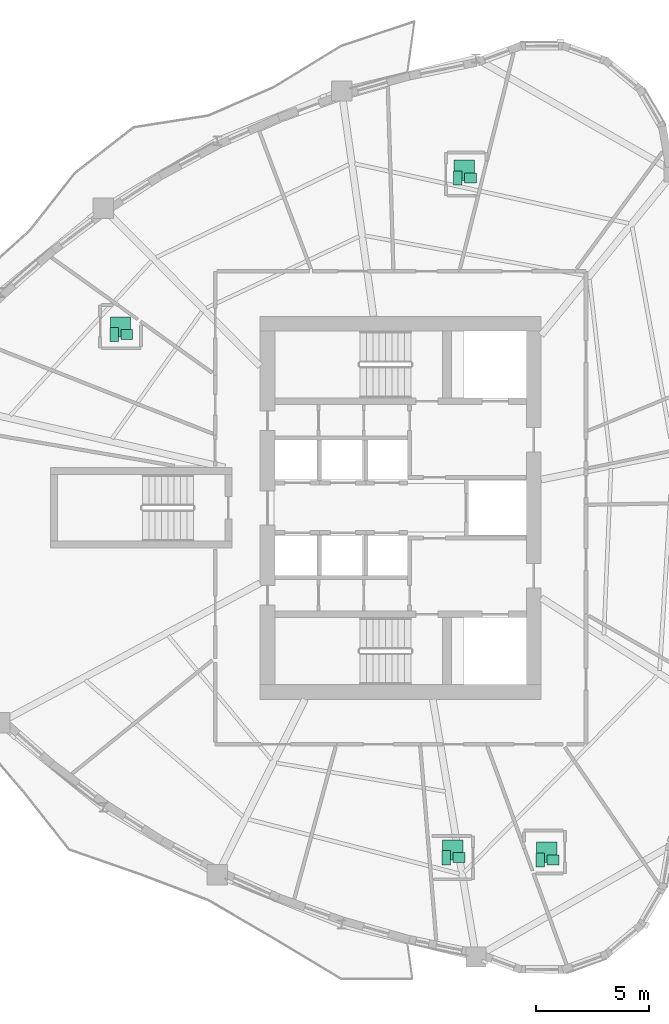
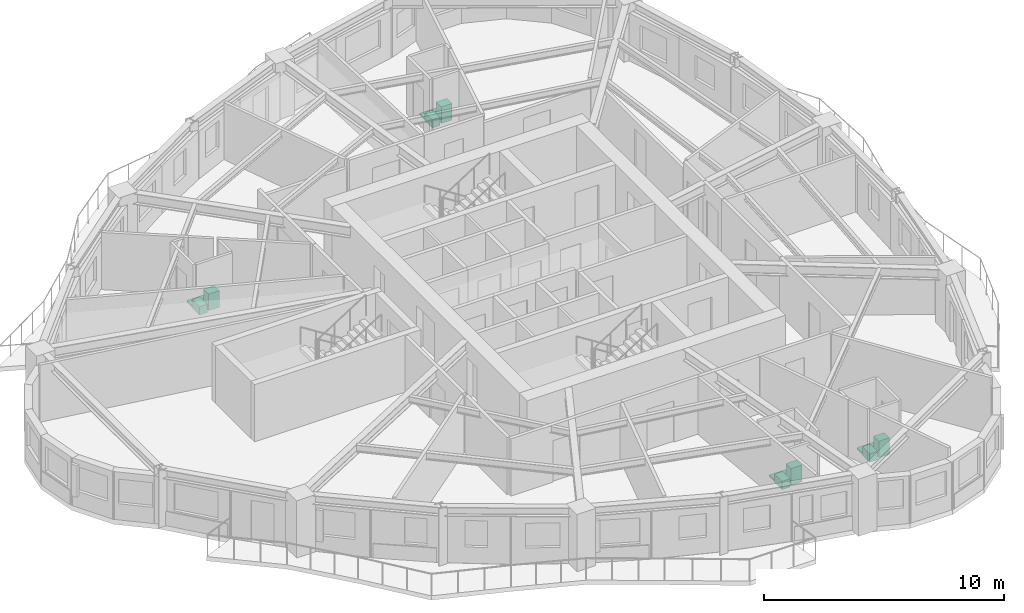
# One storey, part 12 of 12: 12 sanitary terminals.
"""IFC4 building model written with IfcOpenShell, lengths in metres."""

from ifc_helpers import new_model, si_unit, direction, frame, origin, origin_2d, place, context, subcontext, project, spatial, rectangle, extrude, source, transform, mapped, material, type_object, element, save


model = new_model("IFC4")

# Units and contexts
model_context = context("Model", 3, precision=1e-05, world=origin(), true_north=direction((0.0, 1.0)))
body_context = subcontext(model_context, "Body", "Model", "MODEL_VIEW")
ifc_project = project(units=[si_unit("LENGTHUNIT", "METRE"), si_unit("AREAUNIT", "SQUARE_METRE"), si_unit("VOLUMEUNIT", "CUBIC_METRE"), si_unit("PLANEANGLEUNIT", "RADIAN"), si_unit("MASSUNIT", "GRAM", prefix="KILO")], contexts=[model_context])

# Site, building, storey
site_placement = place(None, origin())
site = spatial("IfcSite", under=ifc_project, at=site_placement, CompositionType="ELEMENT")
building_placement = place(site_placement, origin())
building = spatial("IfcBuilding", under=site, at=building_placement, Name="Qafzar Sky-Pleat Residences", CompositionType="ELEMENT")
storey_placement = place(building_placement, frame((0.0, 0.0, 124.800048828125)))
storey = spatial("IfcBuildingStorey", under=building, at=storey_placement, Name="L37", CompositionType="ELEMENT", Elevation=124.800048828125)

# Sanitary terminals
ifc_material_1 = material(Name="Vitreous china sanitaryware")
sanitary_terminal_type_1 = type_object("IfcSanitaryTerminalType", Name="SAN-WC-PAN", PredefinedType="TOILETPAN", material=ifc_material_1)
shared_shape_1 = source(origin(), body_context, "Body", "SweptSolid", [
    extrude(rectangle(XDim=0.3798828125, YDim=0.6201171875, at=origin_2d()), origin(), (0.0, 0.0, 1.0), 0.419921875),
])
for number, where, z_axis, x_axis, name in (
    (1, (32.874755859375, 40.549072265625, 0.0), (0.0, 0.0, 1.0), (1.0, 0.0, 0.0), "L37 En-suite Bathroom 1 WC Pan"),
    (2, (17.708984375, 33.635986328125, 0.0), (0.0, 0.0, 1.0), (1.0, 0.0, 0.0), "L37 En-suite Bathroom 2 WC Pan"),
    (3, (32.363037109375, 10.55810546875, 0.0), (0.0, 0.0, 1.0), (1.0, 0.0, 0.0), "L37 En-suite Bathroom 3 WC Pan"),
    (4, (36.517333984375, 10.456298828125, 0.0), (0.0, 0.0, 1.0), (1.0, 0.0, 0.0), "L37 En-suite Bathroom 4 WC Pan"),
):
    element("IfcSanitaryTerminal", number, at=place(storey_placement, frame(where, z_axis=z_axis, x_axis=x_axis)), inside=storey, type_object=sanitary_terminal_type_1, Name=name, PredefinedType="TOILETPAN", context=body_context, shape_type="MappedRepresentation", body=[
        mapped(shared_shape_1, transform((0.0, 0.0, 0.0), x_axis=(1.0, 0.0, 0.0), y_axis=(0.0, 1.0, 0.0), z_axis=(0.0, 0.0, 1.0), scale=1.0)),
    ])
sanitary_terminal_type_2 = type_object("IfcSanitaryTerminalType", Name="SAN-BASIN", PredefinedType="WASHHANDBASIN", material=ifc_material_1)
shared_shape_2 = source(origin(), body_context, "Body", "SweptSolid", [
    extrude(rectangle(XDim=0.52001953125, YDim=0.43994140625, at=origin_2d()), origin(), (0.0, 0.0, 1.0), 0.840087890625),
])
for number, where, z_axis, x_axis, name in (
    (5, (33.434814453125, 40.549072265625, 0.0), (0.0, 0.0, 1.0), (1.0, 0.0, 0.0), "L37 En-suite Bathroom 1 Pedestal Washbasin"),
    (6, (18.26904296875, 33.635986328125, 0.0), (0.0, 0.0, 1.0), (1.0, 0.0, 0.0), "L37 En-suite Bathroom 2 Pedestal Washbasin"),
    (7, (32.923095703125, 10.55810546875, 0.0), (0.0, 0.0, 1.0), (1.0, 0.0, 0.0), "L37 En-suite Bathroom 3 Pedestal Washbasin"),
    (8, (37.077392578125, 10.456298828125, 0.0), (0.0, 0.0, 1.0), (1.0, 0.0, 0.0), "L37 En-suite Bathroom 4 Pedestal Washbasin"),
):
    element("IfcSanitaryTerminal", number, at=place(storey_placement, frame(where, z_axis=z_axis, x_axis=x_axis)), inside=storey, type_object=sanitary_terminal_type_2, Name=name, PredefinedType="WASHHANDBASIN", context=body_context, shape_type="MappedRepresentation", body=[
        mapped(shared_shape_2, transform((0.0, 0.0, 0.0), x_axis=(1.0, 0.0, 0.0), y_axis=(0.0, 1.0, 0.0), z_axis=(0.0, 0.0, 1.0), scale=1.0)),
    ])
ifc_material_2 = material(Name="Vitreous china and acrylic tray")
sanitary_terminal_type_3 = type_object("IfcSanitaryTerminalType", Name="SAN-SHOWER", PredefinedType="SHOWER", material=ifc_material_2)
shared_shape_3 = source(origin(), body_context, "Body", "SweptSolid", [
    extrude(rectangle(XDim=0.89990234375, YDim=0.89990234375, at=origin_2d()), origin(), (0.0, 0.0, 1.0), 0.080078125),
])
for number, where, z_axis, x_axis, name in (
    (9, (33.15478515625, 40.888916015625, 0.0), (0.0, 0.0, 1.0), (1.0, 0.0, 0.0), "L37 En-suite Bathroom 1 Walk-In Shower"),
    (10, (17.989013671875, 33.97607421875, 0.0), (0.0, 0.0, 1.0), (1.0, 0.0, 0.0), "L37 En-suite Bathroom 2 Walk-In Shower"),
    (11, (32.64306640625, 10.89794921875, 0.0), (0.0, 0.0, 1.0), (1.0, 0.0, 0.0), "L37 En-suite Bathroom 3 Walk-In Shower"),
    (12, (36.79736328125, 10.796142578125, 0.0), (0.0, 0.0, 1.0), (1.0, 0.0, 0.0), "L37 En-suite Bathroom 4 Walk-In Shower"),
):
    element("IfcSanitaryTerminal", number, at=place(storey_placement, frame(where, z_axis=z_axis, x_axis=x_axis)), inside=storey, type_object=sanitary_terminal_type_3, Name=name, PredefinedType="SHOWER", context=body_context, shape_type="MappedRepresentation", body=[
        mapped(shared_shape_3, transform((0.0, 0.0, 0.0), x_axis=(1.0, 0.0, 0.0), y_axis=(0.0, 1.0, 0.0), z_axis=(0.0, 0.0, 1.0), scale=1.0)),
    ])

save(model, "model.ifc")
